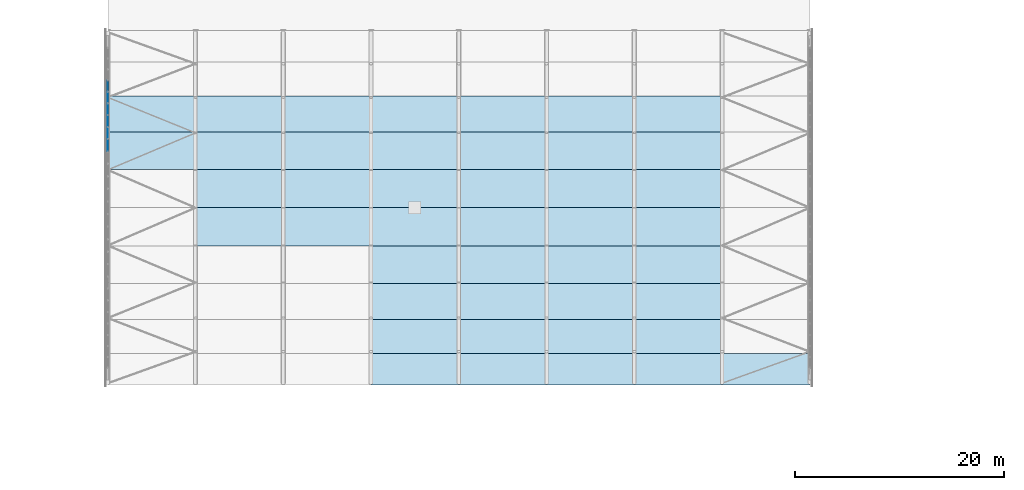
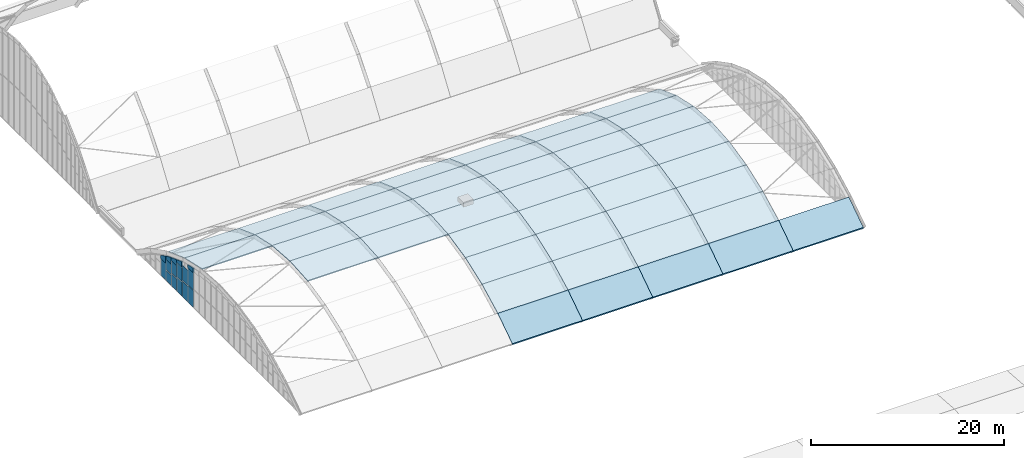
# One storey, part 51 of 77: 43 slabs, 16 plates, 1 element without a shape of its own.
"""IFC4 building model written with IfcOpenShell, lengths in metres."""

from ifc_helpers import new_model, si_unit, direction, frame, origin, origin_2d, place, context, subcontext, project, spatial, polyline, rectangle, outline, extrude, material, layer, layer_set, type_object, element, aggregate, save


model = new_model("IFC4")

# Units and contexts
model_context = context("Model", 3, precision=1e-05, world=origin(), true_north=direction((0.0, 1.0)))
body_context = subcontext(model_context, "Body", "Model", "MODEL_VIEW")
ifc_project = project(units=[si_unit("LENGTHUNIT", "METRE"), si_unit("AREAUNIT", "SQUARE_METRE"), si_unit("VOLUMEUNIT", "CUBIC_METRE"), si_unit("PLANEANGLEUNIT", "RADIAN"), si_unit("MASSUNIT", "GRAM", prefix="KILO")], contexts=[model_context])

# Site, building, storey
site_placement = place(None, origin())
site = spatial("IfcSite", under=ifc_project, at=site_placement, CompositionType="ELEMENT")
building_placement = place(site_placement, origin())
building = spatial("IfcBuilding", under=site, at=building_placement, Name="Catenary Quay Ferry Terminal", CompositionType="ELEMENT")
storey_placement = place(building_placement, frame((0.0, 0.0, 10.800048828125)))
storey = spatial("IfcBuildingStorey", under=building, at=storey_placement, Name="L02", CompositionType="ELEMENT", Elevation=10.800048828125)

# Curtain wall, plates
ifc_material_1 = material(Name="Aluminium and glass", Category="aluminium")
curtain_wall_type = type_object("IfcCurtainWallType", Name="CWA", PredefinedType="NOTDEFINED", material=ifc_material_1)
curtain_wall_placement = place(storey_placement, origin())
curtain_wall = element("IfcCurtainWall", 1, at=curtain_wall_placement, inside=storey, type_object=curtain_wall_type, Name="Arch arrivals hall curtain wall CW5", PredefinedType="NOTDEFINED")
ifc_material_2 = material(Name="Glass", Category="glass")
ifc_layer_1 = layer(ifc_material_2, 0.035888671875)
ifc_layer_set_1 = layer_set([ifc_layer_1], Name="PN4")
plate_type_1 = type_object("IfcPlateType", Name="PN4", PredefinedType="CURTAIN_PANEL", material=ifc_layer_set_1)
plate_1_placement = place(storey_placement, frame((25.199951171875, 89.979248046875, 0.10009765625), z_axis=(0.0, 0.0, 1.0), x_axis=(0.0, 1.0, 0.0)))
plate_1 = element("IfcPlate", 2, at=plate_1_placement, type_object=plate_type_1, Name="CW5 panel 19.1", PredefinedType="CURTAIN_PANEL", context=body_context, shape_type="SweptSolid", body=[
    extrude(rectangle(XDim=1.12060546875, YDim=0.035888671875, at=origin_2d()), origin(), (0.0, 0.0, 1.0), 2.108154296875),
])
plate_2_placement = place(storey_placement, frame((25.199951171875, 89.979248046875, 2.30810546875), z_axis=(0.0, 0.0, 1.0), x_axis=(0.0, 1.0, 0.0)))
plate_2 = element("IfcPlate", 3, at=plate_2_placement, type_object=plate_type_1, Name="CW5 panel 19.2", PredefinedType="CURTAIN_PANEL", context=body_context, shape_type="SweptSolid", body=[
    extrude(rectangle(XDim=1.12060546875, YDim=0.035888671875, at=origin_2d()), origin(), (0.0, 0.0, 1.0), 2.108154296875),
])
plate_3_placement = place(storey_placement, frame((25.199951171875, 91.1484375, 0.099853515625), z_axis=(0.0, 0.0, 1.0), x_axis=(0.0, 1.0, 0.0)))
plate_3 = element("IfcPlate", 4, at=plate_3_placement, type_object=plate_type_1, Name="CW5 panel 20.1", PredefinedType="CURTAIN_PANEL", context=body_context, shape_type="SweptSolid", body=[
    extrude(rectangle(XDim=1.097412109375, YDim=0.035888671875, at=origin_2d()), origin(), (0.0, 0.0, 1.0), 1.9375),
])
plate_4_placement = place(storey_placement, frame((25.199951171875, 91.1484375, 2.13720703125), z_axis=(0.0, 0.0, 1.0), x_axis=(0.0, 1.0, 0.0)))
plate_4 = element("IfcPlate", 5, at=plate_4_placement, type_object=plate_type_1, Name="CW5 panel 20.2", PredefinedType="CURTAIN_PANEL", context=body_context, shape_type="SweptSolid", body=[
    extrude(rectangle(XDim=1.097412109375, YDim=0.035888671875, at=origin_2d()), origin(), (0.0, 0.0, 1.0), 1.9375),
])
plate_5_placement = place(storey_placement, frame((25.199951171875, 92.2939453125, 0.10009765625), z_axis=(0.0, 0.0, 1.0), x_axis=(0.0, 1.0, 0.0)))
plate_5 = element("IfcPlate", 6, at=plate_5_placement, type_object=plate_type_1, Name="CW5 panel 21.1", PredefinedType="CURTAIN_PANEL", context=body_context, shape_type="SweptSolid", body=[
    extrude(rectangle(XDim=1.073974609375, YDim=0.035888671875, at=origin_2d()), origin(), (0.0, 0.0, 1.0), 1.727294921875),
])
plate_6_placement = place(storey_placement, frame((25.199951171875, 92.2939453125, 1.92724609375), z_axis=(0.0, 0.0, 1.0), x_axis=(0.0, 1.0, 0.0)))
plate_6 = element("IfcPlate", 7, at=plate_6_placement, type_object=plate_type_1, Name="CW5 panel 21.2", PredefinedType="CURTAIN_PANEL", context=body_context, shape_type="SweptSolid", body=[
    extrude(rectangle(XDim=1.073974609375, YDim=0.035888671875, at=origin_2d()), origin(), (0.0, 0.0, 1.0), 1.727294921875),
])
plate_7_placement = place(storey_placement, frame((25.199951171875, 93.427978515625, 0.099853515625), z_axis=(0.0, 0.0, 1.0), x_axis=(0.0, 1.0, 0.0)))
plate_7 = element("IfcPlate", 8, at=plate_7_placement, type_object=plate_type_1, Name="CW5 panel 22.1", PredefinedType="CURTAIN_PANEL", context=body_context, shape_type="SweptSolid", body=[
    extrude(rectangle(XDim=1.073974609375, YDim=0.035888671875, at=origin_2d()), origin(), (0.0, 0.0, 1.0), 1.51708984375),
])
plate_8_placement = place(storey_placement, frame((25.199951171875, 93.427978515625, 1.717041015625), z_axis=(0.0, 0.0, 1.0), x_axis=(0.0, 1.0, 0.0)))
plate_8 = element("IfcPlate", 9, at=plate_8_placement, type_object=plate_type_1, Name="CW5 panel 22.2", PredefinedType="CURTAIN_PANEL", context=body_context, shape_type="SweptSolid", body=[
    extrude(rectangle(XDim=1.073974609375, YDim=0.035888671875, at=origin_2d()), origin(), (0.0, 0.0, 1.0), 1.51708984375),
])
plate_9_placement = place(storey_placement, frame((25.199951171875, 94.546875, 0.10009765625), z_axis=(0.0, 0.0, 1.0), x_axis=(0.0, 1.0, 0.0)))
plate_9 = element("IfcPlate", 10, at=plate_9_placement, type_object=plate_type_1, Name="CW5 panel 23.1", PredefinedType="CURTAIN_PANEL", context=body_context, shape_type="SweptSolid", body=[
    extrude(rectangle(XDim=1.043701171875, YDim=0.035888671875, at=origin_2d()), origin(), (0.0, 0.0, 1.0), 1.272705078125),
])
plate_10_placement = place(storey_placement, frame((25.199951171875, 94.546875, 1.47265625), z_axis=(0.0, 0.0, 1.0), x_axis=(0.0, 1.0, 0.0)))
plate_10 = element("IfcPlate", 11, at=plate_10_placement, type_object=plate_type_1, Name="CW5 panel 23.2", PredefinedType="CURTAIN_PANEL", context=body_context, shape_type="SweptSolid", body=[
    extrude(rectangle(XDim=1.043701171875, YDim=0.035888671875, at=origin_2d()), origin(), (0.0, 0.0, 1.0), 1.272705078125),
])
plate_11_placement = place(storey_placement, frame((25.199951171875, 95.63525390625, 0.10009765625), z_axis=(0.0, 0.0, 1.0), x_axis=(0.0, 1.0, 0.0)))
plate_11 = element("IfcPlate", 12, at=plate_11_placement, type_object=plate_type_1, Name="CW5 panel 24.1", PredefinedType="CURTAIN_PANEL", context=body_context, shape_type="SweptSolid", body=[
    extrude(rectangle(XDim=1.013427734375, YDim=0.035888671875, at=origin_2d()), origin(), (0.0, 0.0, 1.0), 2.08837890625),
])
ifc_material_3 = material(Name="Ceramic tile facing on insulated backing")
ifc_layer_2 = layer(ifc_material_3, 0.14990234375)
ifc_layer_set_2 = layer_set([ifc_layer_2], Name="PN7")
plate_type_2 = type_object("IfcPlateType", Name="PN7", PredefinedType="CURTAIN_PANEL", material=ifc_layer_set_2)
plate_12_placement = place(storey_placement, frame((25.199951171875, 89.4189453125, 4.51611328125), z_axis=(0.0, 0.0, 1.0), x_axis=(0.0, 1.0, 0.0)))
plate_12 = element("IfcPlate", 13, at=plate_12_placement, type_object=plate_type_2, Name="CW5 spandrel panel 21", PredefinedType="CURTAIN_PANEL", context=body_context, shape_type="SweptSolid", body=[
    extrude(outline(polyline([(0.0, 0.0), (1.12060546875, 0.0), (1.12060546875, 0.3466796875), (0.0, 0.595703125), (0.0, 0.0)])), frame((0.0, 0.074951171875, 0.0), z_axis=(0.0, -1.0, 0.0), x_axis=(1.0, 0.0, 0.0)), (0.0, 0.0, 1.0), 0.14990234375),
])
plate_13_placement = place(storey_placement, frame((25.199951171875, 91.757080078125, 3.75439453125), z_axis=(0.0, 0.0, 1.0), x_axis=(0.0, 1.0, 0.0)))
plate_13 = element("IfcPlate", 14, at=plate_13_placement, type_object=plate_type_2, Name="CW5 spandrel panel 24", PredefinedType="CURTAIN_PANEL", context=body_context, shape_type="SweptSolid", body=[
    extrude(outline(polyline([(0.0, 0.0), (1.073974609375, 0.0), (1.073974609375, 0.35107421875), (0.0, 0.749267578125), (0.0, 0.0)])), frame((0.0, 0.074951171875, 0.0), z_axis=(0.0, -1.0, 0.0), x_axis=(1.0, 0.0, 0.0)), (0.0, 0.0, 1.0), 0.14990234375),
])
plate_14_placement = place(storey_placement, frame((25.199951171875, 92.89111328125, 3.334228515625), z_axis=(0.0, 0.0, 1.0), x_axis=(0.0, 1.0, 0.0)))
plate_14 = element("IfcPlate", 15, at=plate_14_placement, type_object=plate_type_2, Name="CW5 spandrel panel 25", PredefinedType="CURTAIN_PANEL", context=body_context, shape_type="SweptSolid", body=[
    extrude(outline(polyline([(0.0, 0.0), (1.073974609375, 0.0), (1.073974609375, 0.35107421875), (0.0, 0.7490234375), (0.0, 0.0)])), frame((0.0, 0.074951171875, 0.0), z_axis=(0.0, -1.0, 0.0), x_axis=(1.0, 0.0, 0.0)), (0.0, 0.0, 1.0), 0.14990234375),
])
plate_15_placement = place(storey_placement, frame((25.199951171875, 94.02490234375, 2.845458984375), z_axis=(0.0, 0.0, 1.0), x_axis=(0.0, 1.0, 0.0)))
plate_15 = element("IfcPlate", 16, at=plate_15_placement, type_object=plate_type_2, Name="CW5 spandrel panel 26", PredefinedType="CURTAIN_PANEL", context=body_context, shape_type="SweptSolid", body=[
    extrude(outline(polyline([(0.0, 0.0), (1.043701171875, 0.0), (1.043701171875, 0.35546875), (0.0, 0.817626953125), (0.0, 0.0)])), frame((0.0, 0.074951171875, 0.0), z_axis=(0.0, -1.0, 0.0), x_axis=(1.0, 0.0, 0.0)), (0.0, 0.0, 1.0), 0.14990234375),
])
plate_16_placement = place(storey_placement, frame((25.199951171875, 95.128662109375, 2.288330078125), z_axis=(0.0, 0.0, 1.0), x_axis=(0.0, 1.0, 0.0)))
plate_16 = element("IfcPlate", 17, at=plate_16_placement, type_object=plate_type_2, Name="CW5 spandrel panel 27", PredefinedType="CURTAIN_PANEL", context=body_context, shape_type="SweptSolid", body=[
    extrude(outline(polyline([(0.0, 0.0), (1.013427734375, 0.0), (1.013427734375, 0.355712890625), (0.0, 0.881591796875), (0.0, 0.0)])), frame((0.0, 0.074951171875, 0.0), z_axis=(0.0, -1.0, 0.0), x_axis=(1.0, 0.0, 0.0)), (0.0, 0.0, 1.0), 0.14990234375),
])
aggregate(curtain_wall, [plate_1, plate_2, plate_12, plate_3, plate_4, plate_5, plate_6, plate_13, plate_7, plate_8, plate_14, plate_9, plate_10, plate_15, plate_11, plate_16])

# Slabs
ifc_material_4 = material(Name="Concrete C35/45", Category="concrete")
ifc_layer_3 = layer(ifc_material_4, 0.1201171875)
ifc_layer_set_3 = layer_set([ifc_layer_3], Name="Thin concrete shell roof slab C35/45 120")
slab_type = type_object("IfcSlabType", Name="Thin concrete shell roof slab C35/45 120", PredefinedType="ROOF", material=ifc_layer_set_3)
slab_1_placement = place(storey_placement, frame((25.199951171875, 87.665283203125, 6.052490234375), z_axis=(0.0, 0.216902312965, 0.97619331417), x_axis=(1.0, 0.0, 0.0)))
element("IfcSlab", 18, at=slab_1_placement, inside=storey, type_object=slab_type, Name="Roof shell panel VA-01-07", PredefinedType="ROOF", context=body_context, shape_type="SweptSolid", body=[
    extrude(outline(polyline([(0.0, 0.0), (8.400146484375, 0.0), (8.400146484375, 3.6738889000675665), (0.0, 3.6738889000675665), (0.0, 0.0)])), origin(), (0.0, 0.216902312965, -0.97619331417), 0.123046875),
])
slab_2_placement = place(storey_placement, frame((25.199951171875, 91.251708984375, 5.255615234375), z_axis=(0.0, 0.347563490145, 0.937656451115), x_axis=(1.0, 0.0, 0.0)))
element("IfcSlab", 19, at=slab_2_placement, inside=storey, type_object=slab_type, Name="Roof shell panel VA-01-08", PredefinedType="ROOF", context=body_context, shape_type="SweptSolid", body=[
    extrude(outline(polyline([(0.0, 0.0), (8.400146484375, 0.0), (8.400146484375, 3.6702208425120975), (0.0, 3.6702208425120975), (0.0, 0.0)])), origin(), (0.0, 0.347563490145, -0.937656451115), 0.1279296875),
])
slab_3_placement = place(storey_placement, frame((33.60009765625, 80.334716796875, 6.052490234375), z_axis=(0.0, -0.073866791849, 0.997268116938), x_axis=(1.0, 0.0, 0.0)))
element("IfcSlab", 20, at=slab_3_placement, inside=storey, type_object=slab_type, Name="Roof shell panel VA-02-05", PredefinedType="ROOF", context=body_context, shape_type="SweptSolid", body=[
    extrude(outline(polyline([(0.0, 0.0), (8.39990234375, 0.0), (8.39990234375, 3.675323757844933), (0.0, 3.675323757844933), (0.0, 0.0)])), origin(), (0.0, -0.073866791849, -0.997268116938), 0.120361328125),
])
slab_4_placement = place(storey_placement, frame((33.60009765625, 84.0, 6.323974609375), z_axis=(0.0, 0.073866791849, 0.997268116938), x_axis=(1.0, 0.0, 0.0)))
element("IfcSlab", 21, at=slab_4_placement, inside=storey, type_object=slab_type, Name="Roof shell panel VA-02-06", PredefinedType="ROOF", context=body_context, shape_type="SweptSolid", body=[
    extrude(outline(polyline([(0.0, 0.0), (8.39990234375, 0.0), (8.39990234375, 3.675323757844933), (0.0, 3.675323757844933), (0.0, 0.0)])), origin(), (0.0, 0.073866791849, -0.997268116938), 0.120361328125),
])
slab_5_placement = place(storey_placement, frame((33.60009765625, 87.665283203125, 6.052490234375), z_axis=(0.0, 0.216902312965, 0.97619331417), x_axis=(1.0, 0.0, 0.0)))
element("IfcSlab", 22, at=slab_5_placement, inside=storey, type_object=slab_type, Name="Roof shell panel VA-02-07", PredefinedType="ROOF", context=body_context, shape_type="SweptSolid", body=[
    extrude(outline(polyline([(0.0, 0.0), (8.39990234375, 0.0), (8.39990234375, 3.6738889000675665), (0.0, 3.6738889000675665), (0.0, 0.0)])), origin(), (0.0, 0.216902312965, -0.97619331417), 0.123046875),
])
slab_6_placement = place(storey_placement, frame((33.60009765625, 91.251708984375, 5.255615234375), z_axis=(0.0, 0.347563490145, 0.937656451115), x_axis=(1.0, 0.0, 0.0)))
element("IfcSlab", 23, at=slab_6_placement, inside=storey, type_object=slab_type, Name="Roof shell panel VA-02-08", PredefinedType="ROOF", context=body_context, shape_type="SweptSolid", body=[
    extrude(outline(polyline([(0.0, 0.0), (8.39990234375, 0.0), (8.39990234375, 3.6702208425120975), (0.0, 3.6702208425120975), (0.0, 0.0)])), origin(), (0.0, 0.347563490145, -0.937656451115), 0.1279296875),
])
slab_7_placement = place(storey_placement, frame((42.0, 80.334716796875, 6.052490234375), z_axis=(0.0, -0.073866791849, 0.997268116938), x_axis=(1.0, 0.0, 0.0)))
element("IfcSlab", 24, at=slab_7_placement, inside=storey, type_object=slab_type, Name="Roof shell panel VA-03-05", PredefinedType="ROOF", context=body_context, shape_type="SweptSolid", body=[
    extrude(outline(polyline([(0.0, 0.0), (8.39990234375, 0.0), (8.39990234375, 3.675323757844933), (0.0, 3.675323757844933), (0.0, 0.0)])), origin(), (0.0, -0.073866791849, -0.997268116938), 0.120361328125),
])
slab_8_placement = place(storey_placement, frame((42.0, 84.0, 6.323974609375), z_axis=(0.0, 0.073866791849, 0.997268116938), x_axis=(1.0, 0.0, 0.0)))
element("IfcSlab", 25, at=slab_8_placement, inside=storey, type_object=slab_type, Name="Roof shell panel VA-03-06", PredefinedType="ROOF", context=body_context, shape_type="SweptSolid", body=[
    extrude(outline(polyline([(0.0, 0.0), (8.39990234375, 0.0), (8.39990234375, 3.675323757844933), (0.0, 3.675323757844933), (0.0, 0.0)])), origin(), (0.0, 0.073866791849, -0.997268116938), 0.120361328125),
])
slab_9_placement = place(storey_placement, frame((42.0, 87.665283203125, 6.052490234375), z_axis=(0.0, 0.216902312965, 0.97619331417), x_axis=(1.0, 0.0, 0.0)))
element("IfcSlab", 26, at=slab_9_placement, inside=storey, type_object=slab_type, Name="Roof shell panel VA-03-07", PredefinedType="ROOF", context=body_context, shape_type="SweptSolid", body=[
    extrude(outline(polyline([(0.0, 0.0), (8.39990234375, 0.0), (8.39990234375, 3.6738889000675665), (0.0, 3.6738889000675665), (0.0, 0.0)])), origin(), (0.0, 0.216902312965, -0.97619331417), 0.123046875),
])
slab_10_placement = place(storey_placement, frame((42.0, 91.251708984375, 5.255615234375), z_axis=(0.0, 0.347563490145, 0.937656451115), x_axis=(1.0, 0.0, 0.0)))
element("IfcSlab", 27, at=slab_10_placement, inside=storey, type_object=slab_type, Name="Roof shell panel VA-03-08", PredefinedType="ROOF", context=body_context, shape_type="SweptSolid", body=[
    extrude(outline(polyline([(0.0, 0.0), (8.39990234375, 0.0), (8.39990234375, 3.6702208425120975), (0.0, 3.6702208425120975), (0.0, 0.0)])), origin(), (0.0, 0.347563490145, -0.937656451115), 0.1279296875),
])
slab_11_placement = place(storey_placement, frame((50.39990234375, 67.020751953125, 0.268798828125), z_axis=(0.0, -0.554916543304, 0.831906022317), x_axis=(1.0, 0.0, 0.0)))
element("IfcSlab", 28, at=slab_11_placement, inside=storey, type_object=slab_type, Name="Roof shell panel VA-04-01", PredefinedType="ROOF", context=body_context, shape_type="SweptSolid", body=[
    extrude(outline(polyline([(0.0, 0.0), (8.400146484375, 0.0), (8.400146484375, 3.6455017302345123), (0.0, 3.6455017302345123), (0.0, 0.0)])), origin(), (0.0, -0.554916543304, -0.831906022317), 0.144287109375),
])
slab_12_placement = place(storey_placement, frame((50.39990234375, 70.053466796875, 2.291748046875), z_axis=(0.0, -0.460591277623, 0.887612344989), x_axis=(1.0, 0.0, 0.0)))
element("IfcSlab", 29, at=slab_12_placement, inside=storey, type_object=slab_type, Name="Roof shell panel VA-04-02", PredefinedType="ROOF", context=body_context, shape_type="SweptSolid", body=[
    extrude(outline(polyline([(0.0, 0.0), (8.400146484375, 0.0), (8.400146484375, 3.6653590805888725), (0.0, 3.6653590805888725), (0.0, 0.0)])), origin(), (0.0, -0.460591277623, -0.887612344989), 0.13525390625),
])
slab_13_placement = place(storey_placement, frame((50.39990234375, 73.306884765625, 3.97998046875), z_axis=(0.0, -0.347563490145, 0.937656451115), x_axis=(1.0, 0.0, 0.0)))
element("IfcSlab", 30, at=slab_13_placement, inside=storey, type_object=slab_type, Name="Roof shell panel VA-04-03", PredefinedType="ROOF", context=body_context, shape_type="SweptSolid", body=[
    extrude(outline(polyline([(0.0, 0.0), (8.400146484375, 0.0), (8.400146484375, 3.6702208425120975), (0.0, 3.6702208425120975), (0.0, 0.0)])), origin(), (0.0, -0.347563490145, -0.937656451115), 0.1279296875),
])
slab_14_placement = place(storey_placement, frame((50.39990234375, 76.748291015625, 5.255615234375), z_axis=(0.0, -0.216902312965, 0.97619331417), x_axis=(1.0, 0.0, 0.0)))
element("IfcSlab", 31, at=slab_14_placement, inside=storey, type_object=slab_type, Name="Roof shell panel VA-04-04", PredefinedType="ROOF", context=body_context, shape_type="SweptSolid", body=[
    extrude(outline(polyline([(0.0, 0.0), (8.400146484375, 0.0), (8.400146484375, 3.6738889000675665), (0.0, 3.6738889000675665), (0.0, 0.0)])), origin(), (0.0, -0.216902312965, -0.97619331417), 0.123046875),
])
slab_15_placement = place(storey_placement, frame((50.39990234375, 80.334716796875, 6.052490234375), z_axis=(0.0, -0.073866791849, 0.997268116938), x_axis=(1.0, 0.0, 0.0)))
element("IfcSlab", 32, at=slab_15_placement, inside=storey, type_object=slab_type, Name="Roof shell panel VA-04-05", PredefinedType="ROOF", context=body_context, shape_type="SweptSolid", body=[
    extrude(outline(polyline([(0.0, 0.0), (8.400146484375, 0.0), (8.400146484375, 3.675323757844933), (0.0, 3.675323757844933), (0.0, 0.0)])), origin(), (0.0, -0.073866791849, -0.997268116938), 0.120361328125),
])
slab_16_placement = place(storey_placement, frame((50.39990234375, 84.0, 6.323974609375), z_axis=(0.0, 0.073866791849, 0.997268116938), x_axis=(1.0, 0.0, 0.0)))
element("IfcSlab", 33, at=slab_16_placement, inside=storey, type_object=slab_type, Name="Roof shell panel VA-04-06", PredefinedType="ROOF", context=body_context, shape_type="SweptSolid", body=[
    extrude(outline(polyline([(0.0, 0.0), (8.400146484375, 0.0), (8.400146484375, 3.675323757844933), (0.0, 3.675323757844933), (0.0, 0.0)])), origin(), (0.0, 0.073866791849, -0.997268116938), 0.120361328125),
])
slab_17_placement = place(storey_placement, frame((50.39990234375, 87.665283203125, 6.052490234375), z_axis=(0.0, 0.216902312965, 0.97619331417), x_axis=(1.0, 0.0, 0.0)))
element("IfcSlab", 34, at=slab_17_placement, inside=storey, type_object=slab_type, Name="Roof shell panel VA-04-07", PredefinedType="ROOF", context=body_context, shape_type="SweptSolid", body=[
    extrude(outline(polyline([(0.0, 0.0), (8.400146484375, 0.0), (8.400146484375, 3.6738889000675665), (0.0, 3.6738889000675665), (0.0, 0.0)])), origin(), (0.0, 0.216902312965, -0.97619331417), 0.123046875),
])
slab_18_placement = place(storey_placement, frame((50.39990234375, 91.251708984375, 5.255615234375), z_axis=(0.0, 0.347563490145, 0.937656451115), x_axis=(1.0, 0.0, 0.0)))
element("IfcSlab", 35, at=slab_18_placement, inside=storey, type_object=slab_type, Name="Roof shell panel VA-04-08", PredefinedType="ROOF", context=body_context, shape_type="SweptSolid", body=[
    extrude(outline(polyline([(0.0, 0.0), (8.400146484375, 0.0), (8.400146484375, 3.6702208425120975), (0.0, 3.6702208425120975), (0.0, 0.0)])), origin(), (0.0, 0.347563490145, -0.937656451115), 0.1279296875),
])
slab_19_placement = place(storey_placement, frame((58.800048828125, 67.020751953125, 0.268798828125), z_axis=(0.0, -0.554916543304, 0.831906022317), x_axis=(1.0, 0.0, 0.0)))
element("IfcSlab", 36, at=slab_19_placement, inside=storey, type_object=slab_type, Name="Roof shell panel VA-05-01", PredefinedType="ROOF", context=body_context, shape_type="SweptSolid", body=[
    extrude(outline(polyline([(0.0, 0.0), (8.39990234375, 0.0), (8.39990234375, 3.6455017302345123), (0.0, 3.6455017302345123), (0.0, 0.0)])), origin(), (0.0, -0.554916543304, -0.831906022317), 0.144287109375),
])
slab_20_placement = place(storey_placement, frame((58.800048828125, 70.053466796875, 2.291748046875), z_axis=(0.0, -0.460591277623, 0.887612344989), x_axis=(1.0, 0.0, 0.0)))
element("IfcSlab", 37, at=slab_20_placement, inside=storey, type_object=slab_type, Name="Roof shell panel VA-05-02", PredefinedType="ROOF", context=body_context, shape_type="SweptSolid", body=[
    extrude(outline(polyline([(0.0, 0.0), (8.39990234375, 0.0), (8.39990234375, 3.6653590805888725), (0.0, 3.6653590805888725), (0.0, 0.0)])), origin(), (0.0, -0.460591277623, -0.887612344989), 0.13525390625),
])
slab_21_placement = place(storey_placement, frame((58.800048828125, 73.306884765625, 3.97998046875), z_axis=(0.0, -0.347563490145, 0.937656451115), x_axis=(1.0, 0.0, 0.0)))
element("IfcSlab", 38, at=slab_21_placement, inside=storey, type_object=slab_type, Name="Roof shell panel VA-05-03", PredefinedType="ROOF", context=body_context, shape_type="SweptSolid", body=[
    extrude(outline(polyline([(0.0, 0.0), (8.39990234375, 0.0), (8.39990234375, 3.6702208425120975), (0.0, 3.6702208425120975), (0.0, 0.0)])), origin(), (0.0, -0.347563490145, -0.937656451115), 0.1279296875),
])
slab_22_placement = place(storey_placement, frame((58.800048828125, 76.748291015625, 5.255615234375), z_axis=(0.0, -0.216902312965, 0.97619331417), x_axis=(1.0, 0.0, 0.0)))
element("IfcSlab", 39, at=slab_22_placement, inside=storey, type_object=slab_type, Name="Roof shell panel VA-05-04", PredefinedType="ROOF", context=body_context, shape_type="SweptSolid", body=[
    extrude(outline(polyline([(0.0, 0.0), (8.39990234375, 0.0), (8.39990234375, 3.6738889000675665), (0.0, 3.6738889000675665), (0.0, 0.0)])), origin(), (0.0, -0.216902312965, -0.97619331417), 0.123046875),
])
slab_23_placement = place(storey_placement, frame((58.800048828125, 80.334716796875, 6.052490234375), z_axis=(0.0, -0.073866791849, 0.997268116938), x_axis=(1.0, 0.0, 0.0)))
element("IfcSlab", 40, at=slab_23_placement, inside=storey, type_object=slab_type, Name="Roof shell panel VA-05-05", PredefinedType="ROOF", context=body_context, shape_type="SweptSolid", body=[
    extrude(outline(polyline([(0.0, 0.0), (8.39990234375, 0.0), (8.39990234375, 3.675323757844933), (0.0, 3.675323757844933), (0.0, 0.0)])), origin(), (0.0, -0.073866791849, -0.997268116938), 0.120361328125),
])
slab_24_placement = place(storey_placement, frame((58.800048828125, 84.0, 6.323974609375), z_axis=(0.0, 0.073866791849, 0.997268116938), x_axis=(1.0, 0.0, 0.0)))
element("IfcSlab", 41, at=slab_24_placement, inside=storey, type_object=slab_type, Name="Roof shell panel VA-05-06", PredefinedType="ROOF", context=body_context, shape_type="SweptSolid", body=[
    extrude(outline(polyline([(0.0, 0.0), (8.39990234375, 0.0), (8.39990234375, 3.675323757844933), (0.0, 3.675323757844933), (0.0, 0.0)])), origin(), (0.0, 0.073866791849, -0.997268116938), 0.120361328125),
])
slab_25_placement = place(storey_placement, frame((58.800048828125, 87.665283203125, 6.052490234375), z_axis=(0.0, 0.216902312965, 0.97619331417), x_axis=(1.0, 0.0, 0.0)))
element("IfcSlab", 42, at=slab_25_placement, inside=storey, type_object=slab_type, Name="Roof shell panel VA-05-07", PredefinedType="ROOF", context=body_context, shape_type="SweptSolid", body=[
    extrude(outline(polyline([(0.0, 0.0), (8.39990234375, 0.0), (8.39990234375, 3.6738889000675665), (0.0, 3.6738889000675665), (0.0, 0.0)])), origin(), (0.0, 0.216902312965, -0.97619331417), 0.123046875),
])
slab_26_placement = place(storey_placement, frame((58.800048828125, 91.251708984375, 5.255615234375), z_axis=(0.0, 0.347563490145, 0.937656451115), x_axis=(1.0, 0.0, 0.0)))
element("IfcSlab", 43, at=slab_26_placement, inside=storey, type_object=slab_type, Name="Roof shell panel VA-05-08", PredefinedType="ROOF", context=body_context, shape_type="SweptSolid", body=[
    extrude(outline(polyline([(0.0, 0.0), (8.39990234375, 0.0), (8.39990234375, 3.6702208425120975), (0.0, 3.6702208425120975), (0.0, 0.0)])), origin(), (0.0, 0.347563490145, -0.937656451115), 0.1279296875),
])
slab_27_placement = place(storey_placement, frame((67.199951171875, 67.020751953125, 0.268798828125), z_axis=(0.0, -0.554916543304, 0.831906022317), x_axis=(1.0, 0.0, 0.0)))
element("IfcSlab", 44, at=slab_27_placement, inside=storey, type_object=slab_type, Name="Roof shell panel VA-06-01", PredefinedType="ROOF", context=body_context, shape_type="SweptSolid", body=[
    extrude(outline(polyline([(0.0, 0.0), (8.400146484375, 0.0), (8.400146484375, 3.6455017302345123), (0.0, 3.6455017302345123), (0.0, 0.0)])), origin(), (0.0, -0.554916543304, -0.831906022317), 0.144287109375),
])
slab_28_placement = place(storey_placement, frame((67.199951171875, 70.053466796875, 2.291748046875), z_axis=(0.0, -0.460591277623, 0.887612344989), x_axis=(1.0, 0.0, 0.0)))
element("IfcSlab", 45, at=slab_28_placement, inside=storey, type_object=slab_type, Name="Roof shell panel VA-06-02", PredefinedType="ROOF", context=body_context, shape_type="SweptSolid", body=[
    extrude(outline(polyline([(0.0, 0.0), (8.400146484375, 0.0), (8.400146484375, 3.6653590805888725), (0.0, 3.6653590805888725), (0.0, 0.0)])), origin(), (0.0, -0.460591277623, -0.887612344989), 0.13525390625),
])
slab_29_placement = place(storey_placement, frame((67.199951171875, 73.306884765625, 3.97998046875), z_axis=(0.0, -0.347563490145, 0.937656451115), x_axis=(1.0, 0.0, 0.0)))
element("IfcSlab", 46, at=slab_29_placement, inside=storey, type_object=slab_type, Name="Roof shell panel VA-06-03", PredefinedType="ROOF", context=body_context, shape_type="SweptSolid", body=[
    extrude(outline(polyline([(0.0, 0.0), (8.400146484375, 0.0), (8.400146484375, 3.6702208425120975), (0.0, 3.6702208425120975), (0.0, 0.0)])), origin(), (0.0, -0.347563490145, -0.937656451115), 0.1279296875),
])
slab_30_placement = place(storey_placement, frame((67.199951171875, 76.748291015625, 5.255615234375), z_axis=(0.0, -0.216902312965, 0.97619331417), x_axis=(1.0, 0.0, 0.0)))
element("IfcSlab", 47, at=slab_30_placement, inside=storey, type_object=slab_type, Name="Roof shell panel VA-06-04", PredefinedType="ROOF", context=body_context, shape_type="SweptSolid", body=[
    extrude(outline(polyline([(0.0, 0.0), (8.400146484375, 0.0), (8.400146484375, 3.6738889000675665), (0.0, 3.6738889000675665), (0.0, 0.0)])), origin(), (0.0, -0.216902312965, -0.97619331417), 0.123046875),
])
slab_31_placement = place(storey_placement, frame((67.199951171875, 80.334716796875, 6.052490234375), z_axis=(0.0, -0.073866791849, 0.997268116938), x_axis=(1.0, 0.0, 0.0)))
element("IfcSlab", 48, at=slab_31_placement, inside=storey, type_object=slab_type, Name="Roof shell panel VA-06-05", PredefinedType="ROOF", context=body_context, shape_type="SweptSolid", body=[
    extrude(outline(polyline([(0.0, 0.0), (8.400146484375, 0.0), (8.400146484375, 3.675323757844933), (0.0, 3.675323757844933), (0.0, 0.0)])), origin(), (0.0, -0.073866791849, -0.997268116938), 0.120361328125),
])
slab_32_placement = place(storey_placement, frame((67.199951171875, 84.0, 6.323974609375), z_axis=(0.0, 0.073866791849, 0.997268116938), x_axis=(1.0, 0.0, 0.0)))
element("IfcSlab", 49, at=slab_32_placement, inside=storey, type_object=slab_type, Name="Roof shell panel VA-06-06", PredefinedType="ROOF", context=body_context, shape_type="SweptSolid", body=[
    extrude(outline(polyline([(0.0, 0.0), (8.400146484375, 0.0), (8.400146484375, 3.675323757844933), (0.0, 3.675323757844933), (0.0, 0.0)])), origin(), (0.0, 0.073866791849, -0.997268116938), 0.120361328125),
])
slab_33_placement = place(storey_placement, frame((67.199951171875, 87.665283203125, 6.052490234375), z_axis=(0.0, 0.216902312965, 0.97619331417), x_axis=(1.0, 0.0, 0.0)))
element("IfcSlab", 50, at=slab_33_placement, inside=storey, type_object=slab_type, Name="Roof shell panel VA-06-07", PredefinedType="ROOF", context=body_context, shape_type="SweptSolid", body=[
    extrude(outline(polyline([(0.0, 0.0), (8.400146484375, 0.0), (8.400146484375, 3.6738889000675665), (0.0, 3.6738889000675665), (0.0, 0.0)])), origin(), (0.0, 0.216902312965, -0.97619331417), 0.123046875),
])
slab_34_placement = place(storey_placement, frame((67.199951171875, 91.251708984375, 5.255615234375), z_axis=(0.0, 0.347563490145, 0.937656451115), x_axis=(1.0, 0.0, 0.0)))
element("IfcSlab", 51, at=slab_34_placement, inside=storey, type_object=slab_type, Name="Roof shell panel VA-06-08", PredefinedType="ROOF", context=body_context, shape_type="SweptSolid", body=[
    extrude(outline(polyline([(0.0, 0.0), (8.400146484375, 0.0), (8.400146484375, 3.6702208425120975), (0.0, 3.6702208425120975), (0.0, 0.0)])), origin(), (0.0, 0.347563490145, -0.937656451115), 0.1279296875),
])
slab_35_placement = place(storey_placement, frame((75.60009765625, 67.020751953125, 0.268798828125), z_axis=(0.0, -0.554916543304, 0.831906022317), x_axis=(1.0, 0.0, 0.0)))
element("IfcSlab", 52, at=slab_35_placement, inside=storey, type_object=slab_type, Name="Roof shell panel VA-07-01", PredefinedType="ROOF", context=body_context, shape_type="SweptSolid", body=[
    extrude(outline(polyline([(0.0, 0.0), (8.39990234375, 0.0), (8.39990234375, 3.6455017302345123), (0.0, 3.6455017302345123), (0.0, 0.0)])), origin(), (0.0, -0.554916543304, -0.831906022317), 0.144287109375),
])
slab_36_placement = place(storey_placement, frame((75.60009765625, 70.053466796875, 2.291748046875), z_axis=(0.0, -0.460591277623, 0.887612344989), x_axis=(1.0, 0.0, 0.0)))
element("IfcSlab", 53, at=slab_36_placement, inside=storey, type_object=slab_type, Name="Roof shell panel VA-07-02", PredefinedType="ROOF", context=body_context, shape_type="SweptSolid", body=[
    extrude(outline(polyline([(0.0, 0.0), (8.39990234375, 0.0), (8.39990234375, 3.6653590805888725), (0.0, 3.6653590805888725), (0.0, 0.0)])), origin(), (0.0, -0.460591277623, -0.887612344989), 0.13525390625),
])
slab_37_placement = place(storey_placement, frame((75.60009765625, 73.306884765625, 3.97998046875), z_axis=(0.0, -0.347563490145, 0.937656451115), x_axis=(1.0, 0.0, 0.0)))
element("IfcSlab", 54, at=slab_37_placement, inside=storey, type_object=slab_type, Name="Roof shell panel VA-07-03", PredefinedType="ROOF", context=body_context, shape_type="SweptSolid", body=[
    extrude(outline(polyline([(0.0, 0.0), (8.39990234375, 0.0), (8.39990234375, 3.6702208425120975), (0.0, 3.6702208425120975), (0.0, 0.0)])), origin(), (0.0, -0.347563490145, -0.937656451115), 0.1279296875),
])
slab_38_placement = place(storey_placement, frame((75.60009765625, 76.748291015625, 5.255615234375), z_axis=(0.0, -0.216902312965, 0.97619331417), x_axis=(1.0, 0.0, 0.0)))
element("IfcSlab", 55, at=slab_38_placement, inside=storey, type_object=slab_type, Name="Roof shell panel VA-07-04", PredefinedType="ROOF", context=body_context, shape_type="SweptSolid", body=[
    extrude(outline(polyline([(0.0, 0.0), (8.39990234375, 0.0), (8.39990234375, 3.6738889000675665), (0.0, 3.6738889000675665), (0.0, 0.0)])), origin(), (0.0, -0.216902312965, -0.97619331417), 0.123046875),
])
slab_39_placement = place(storey_placement, frame((75.60009765625, 80.334716796875, 6.052490234375), z_axis=(0.0, -0.073866791849, 0.997268116938), x_axis=(1.0, 0.0, 0.0)))
element("IfcSlab", 56, at=slab_39_placement, inside=storey, type_object=slab_type, Name="Roof shell panel VA-07-05", PredefinedType="ROOF", context=body_context, shape_type="SweptSolid", body=[
    extrude(outline(polyline([(0.0, 0.0), (8.39990234375, 0.0), (8.39990234375, 3.675323757844933), (0.0, 3.675323757844933), (0.0, 0.0)])), origin(), (0.0, -0.073866791849, -0.997268116938), 0.120361328125),
])
slab_40_placement = place(storey_placement, frame((75.60009765625, 84.0, 6.323974609375), z_axis=(0.0, 0.073866791849, 0.997268116938), x_axis=(1.0, 0.0, 0.0)))
element("IfcSlab", 57, at=slab_40_placement, inside=storey, type_object=slab_type, Name="Roof shell panel VA-07-06", PredefinedType="ROOF", context=body_context, shape_type="SweptSolid", body=[
    extrude(outline(polyline([(0.0, 0.0), (8.39990234375, 0.0), (8.39990234375, 3.675323757844933), (0.0, 3.675323757844933), (0.0, 0.0)])), origin(), (0.0, 0.073866791849, -0.997268116938), 0.120361328125),
])
slab_41_placement = place(storey_placement, frame((75.60009765625, 87.665283203125, 6.052490234375), z_axis=(0.0, 0.216902312965, 0.97619331417), x_axis=(1.0, 0.0, 0.0)))
element("IfcSlab", 58, at=slab_41_placement, inside=storey, type_object=slab_type, Name="Roof shell panel VA-07-07", PredefinedType="ROOF", context=body_context, shape_type="SweptSolid", body=[
    extrude(outline(polyline([(0.0, 0.0), (8.39990234375, 0.0), (8.39990234375, 3.6738889000675665), (0.0, 3.6738889000675665), (0.0, 0.0)])), origin(), (0.0, 0.216902312965, -0.97619331417), 0.123046875),
])
slab_42_placement = place(storey_placement, frame((75.60009765625, 91.251708984375, 5.255615234375), z_axis=(0.0, 0.347563490145, 0.937656451115), x_axis=(1.0, 0.0, 0.0)))
element("IfcSlab", 59, at=slab_42_placement, inside=storey, type_object=slab_type, Name="Roof shell panel VA-07-08", PredefinedType="ROOF", context=body_context, shape_type="SweptSolid", body=[
    extrude(outline(polyline([(0.0, 0.0), (8.39990234375, 0.0), (8.39990234375, 3.6702208425120975), (0.0, 3.6702208425120975), (0.0, 0.0)])), origin(), (0.0, 0.347563490145, -0.937656451115), 0.1279296875),
])
slab_43_placement = place(storey_placement, frame((84.0, 67.020751953125, 0.268798828125), z_axis=(0.0, -0.554916543304, 0.831906022317), x_axis=(1.0, 0.0, 0.0)))
element("IfcSlab", 60, at=slab_43_placement, inside=storey, type_object=slab_type, Name="Roof shell panel VA-08-01", PredefinedType="ROOF", context=body_context, shape_type="SweptSolid", body=[
    extrude(outline(polyline([(0.0, 0.0), (8.39990234375, 0.0), (8.39990234375, 3.6455017302345123), (0.0, 3.6455017302345123), (0.0, 0.0)])), origin(), (0.0, -0.554916543304, -0.831906022317), 0.144287109375),
])

save(model, "model.ifc")
